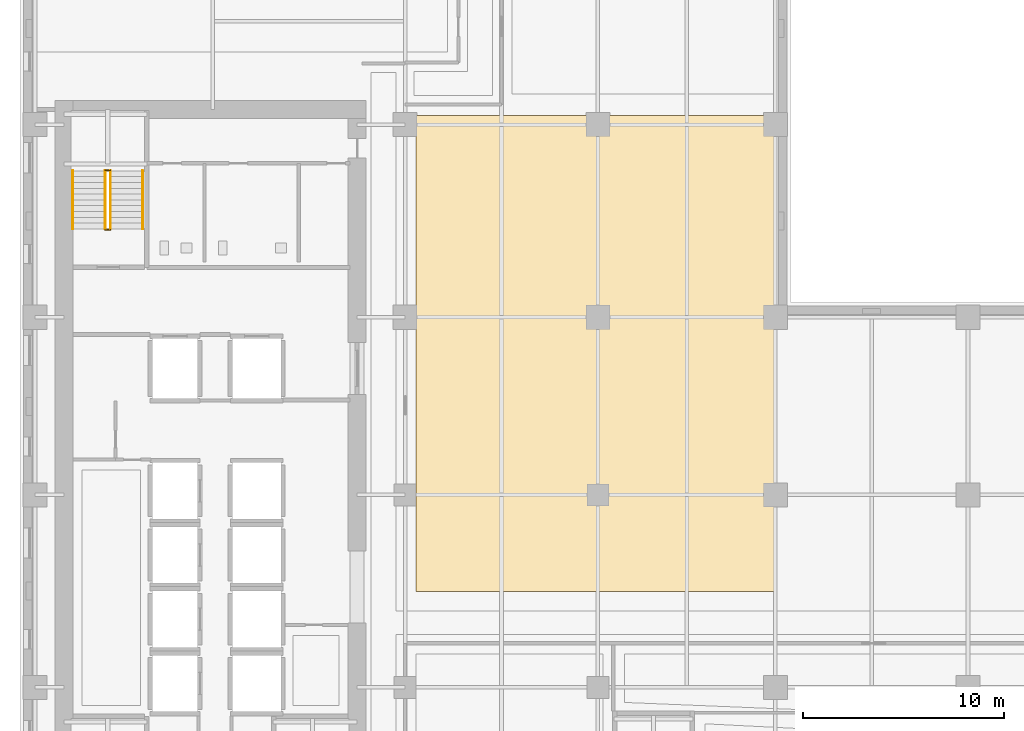
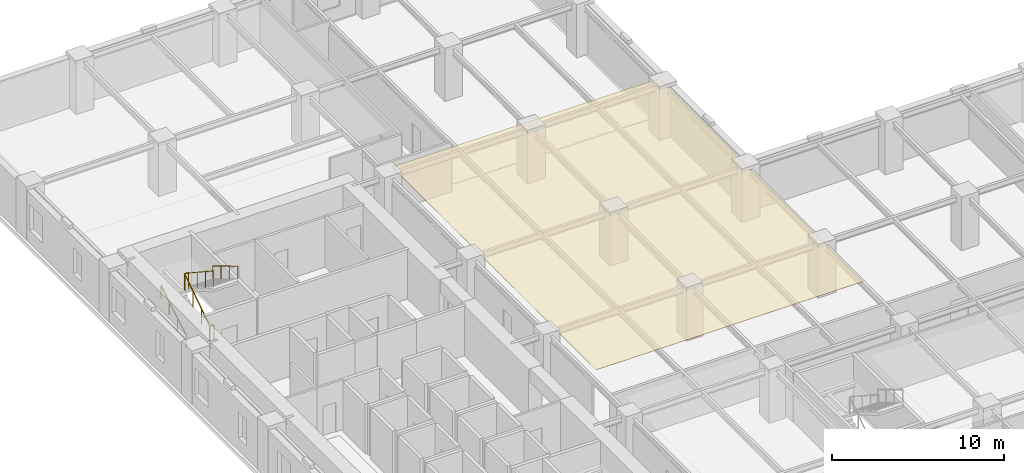
# One storey, part 11 of 13: 6 railings, 1 covering.
"""IFC4 building model written with IfcOpenShell, lengths in metres."""

from ifc_helpers import new_model, si_unit, direction, frame, origin, origin_2d, place, context, subcontext, project, spatial, polyline, circle, outline, extrude, material, layer, layer_set, type_object, element, save


model = new_model("IFC4")

# Units and contexts
model_context = context("Model", 3, precision=1e-05, world=origin(), true_north=direction((0.0, 1.0)))
body_context = subcontext(model_context, "Body", "Model", "MODEL_VIEW")
ifc_project = project(units=[si_unit("LENGTHUNIT", "METRE"), si_unit("AREAUNIT", "SQUARE_METRE"), si_unit("VOLUMEUNIT", "CUBIC_METRE"), si_unit("PLANEANGLEUNIT", "RADIAN"), si_unit("MASSUNIT", "GRAM", prefix="KILO")], contexts=[model_context])

# Site, building, storey
site_placement = place(None, origin())
site = spatial("IfcSite", under=ifc_project, at=site_placement, CompositionType="ELEMENT")
building_placement = place(site_placement, origin())
building = spatial("IfcBuilding", under=site, at=building_placement, Name="Norrvale University Quadrangle", CompositionType="ELEMENT")
storey_placement = place(building_placement, frame((0.0, 0.0, 39.39990234375)))
storey = spatial("IfcBuildingStorey", under=building, at=storey_placement, Name="L09", CompositionType="ELEMENT", Elevation=39.39990234375)

# Covering
ifc_material_1 = material(Name="Perforated Acoustic Mineral Ceiling")
ifc_layer = layer(ifc_material_1, 0.02490234375, Name="Perforated Acoustic Mineral Ceiling")
ifc_layer_set = layer_set([ifc_layer], Name="Perforated Acoustic Mineral Ceiling")
covering_type = type_object("IfcCoveringType", Name="Covering Acoustic Ceiling 25", PredefinedType="CEILING", material=ifc_layer_set)
covering_placement = place(storey_placement, frame((0.0, 0.0, 3.51513671875)))
element("IfcCovering", 1, at=covering_placement, inside=storey, type_object=covering_type, Name="Acoustic Ceiling RM-L09-MNE01", PredefinedType="CEILING", context=body_context, shape_type="SweptSolid", body=[
    extrude(outline(polyline([(19.72998046875, 47.719970703125), (37.64990234375, 47.719970703125), (37.64990234375, 23.97998046875), (19.72998046875, 23.97998046875), (19.72998046875, 47.719970703125)])), origin(), (0.0, 0.0, 1.0), 0.02490234375),
])

# Railings
ifc_material_2 = material(Name="Steel 350W Painted Balustrade", Category="steel")
railing_type_1 = type_object("IfcRailingType", Name="Railing Stair Guard 1100", PredefinedType="GUARDRAIL", material=ifc_material_2)
for number, where, name in (
    (2, (4.239990234375, 42.02001953125, 0.0), "Stair Floor Well Guard ST-02 L09"),
    (3, (4.239990234375, 44.97998046875, 1.900146484375), "Stair Mid-Landing Slot Guard ST-02 L09"),
):
    element("IfcRailing", number, at=place(storey_placement, frame(where)), inside=storey, type_object=railing_type_1, Name=name, PredefinedType="GUARDRAIL", context=body_context, shape_type="SweptSolid", body=[
        extrude(circle(Radius=0.02392578125, at=origin_2d()), frame((0.0, 0.0, 1.1259765625), z_axis=(1.0, 0.0, 0.0), x_axis=(0.0, 1.0, 0.0)), (0.0, 0.0, 1.0), 0.27001953125),
        extrude(circle(Radius=0.02099609375, at=origin_2d()), origin(), (0.0, 0.0, 1.0), 1.101806640625),
        extrude(circle(Radius=0.02099609375, at=origin_2d()), frame((0.27001953125, 0.0, 0.0)), (0.0, 0.0, 1.0), 1.101806640625),
    ])
railing_1_placement = place(storey_placement, frame((4.239990234375, 42.050048828125, 0.0)))
element("IfcRailing", 4, at=railing_1_placement, inside=storey, type_object=railing_type_1, Name="Stair Lower Flight Inner Guard ST-02 L09", PredefinedType="GUARDRAIL", context=body_context, shape_type="SweptSolid", body=[
    extrude(circle(Radius=0.02392578125, at=origin_2d()), frame((0.0, 0.0, 1.1259765625), z_axis=(0.0, 0.836433300813, 0.548068730445), x_axis=(-1.0, 0.0, 0.0)), (0.0, 0.0, 1.0), 3.467041015625),
    extrude(circle(Radius=0.02099609375, at=origin_2d()), origin(), (0.0, 0.0, 1.0), 1.101806640625),
    extrude(circle(Radius=0.02099609375, at=origin_2d()), frame((0.0, 0.966552734375, 0.63330078125)), (0.0, 0.0, 1.0), 1.101806640625),
    extrude(circle(Radius=0.02099609375, at=origin_2d()), frame((0.0, 1.933349609375, 1.266845703125)), (0.0, 0.0, 1.0), 1.101806640625),
    extrude(circle(Radius=0.02099609375, at=origin_2d()), frame((0.0, 2.89990234375, 1.900146484375)), (0.0, 0.0, 1.0), 1.101806640625),
])
railing_2_placement = place(storey_placement, frame((4.510009765625, 44.949951171875, 1.900146484375)))
element("IfcRailing", 5, at=railing_2_placement, inside=storey, type_object=railing_type_1, Name="Stair Upper Flight Inner Guard ST-02 L09", PredefinedType="GUARDRAIL", context=body_context, shape_type="SweptSolid", body=[
    extrude(circle(Radius=0.02392578125, at=origin_2d()), frame((0.0, 0.0, 1.1259765625), z_axis=(0.0, -0.836465582154, 0.548019461216), x_axis=(1.0, 0.0, 0.0)), (0.0, 0.0, 1.0), 3.466796875),
    extrude(circle(Radius=0.02099609375, at=origin_2d()), origin(), (0.0, 0.0, 1.0), 1.101806640625),
    extrude(circle(Radius=0.02099609375, at=origin_2d()), frame((0.0, -0.966552734375, 0.63330078125)), (0.0, 0.0, 1.0), 1.101806640625),
    extrude(circle(Radius=0.02099609375, at=origin_2d()), frame((0.0, -1.933349609375, 1.2666015625)), (0.0, 0.0, 1.0), 1.101806640625),
    extrude(circle(Radius=0.02099609375, at=origin_2d()), frame((0.0, -2.89990234375, 1.89990234375)), (0.0, 0.0, 1.0), 1.101806640625),
])
ifc_material_3 = material(Name="Stainless Steel 316L Handrail", Category="steel")
railing_type_2 = type_object("IfcRailingType", Name="Railing Stair Handrail 920", PredefinedType="HANDRAIL", material=ifc_material_3)
railing_3_placement = place(storey_placement, frame((2.639892578125, 42.050048828125, 0.1728515625)))
element("IfcRailing", 6, at=railing_3_placement, inside=storey, type_object=railing_type_2, Name="Stair Lower Flight Handrail ST-02 L09", PredefinedType="HANDRAIL", context=body_context, shape_type="SweptSolid", body=[
    extrude(circle(Radius=0.02392578125, at=origin_2d()), frame((0.0, 0.0, 0.89599609375), z_axis=(0.0, 0.859141464434, 0.511738159696), x_axis=(-1.0, 0.0, 0.0)), (0.0, 0.0, 1.0), 3.375244140625),
    extrude(circle(Radius=0.02099609375, at=origin_2d()), origin(), (0.0, 0.0, 1.0), 0.871826171875),
    extrude(circle(Radius=0.02099609375, at=origin_2d()), frame((0.0, 0.966552734375, 0.57568359375)), (0.0, 0.0, 1.0), 0.871826171875),
    extrude(circle(Radius=0.02099609375, at=origin_2d()), frame((0.0, 1.933349609375, 1.151611328125)), (0.0, 0.0, 1.0), 0.871826171875),
    extrude(circle(Radius=0.02099609375, at=origin_2d()), frame((0.0, 2.89990234375, 1.727294921875)), (0.0, 0.0, 1.0), 0.871826171875),
])
railing_4_placement = place(storey_placement, frame((6.110107421875, 44.949951171875, 2.07275390625)))
element("IfcRailing", 7, at=railing_4_placement, inside=storey, type_object=railing_type_2, Name="Stair Upper Flight Handrail ST-02 L09", PredefinedType="HANDRAIL", context=body_context, shape_type="SweptSolid", body=[
    extrude(circle(Radius=0.02392578125, at=origin_2d()), frame((0.0, 0.0, 0.89599609375), z_axis=(0.0, -0.859141464434, 0.511738159696), x_axis=(1.0, 0.0, 0.0)), (0.0, 0.0, 1.0), 3.375244140625),
    extrude(circle(Radius=0.02099609375, at=origin_2d()), origin(), (0.0, 0.0, 1.0), 0.871826171875),
    extrude(circle(Radius=0.02099609375, at=origin_2d()), frame((0.0, -0.966552734375, 0.57568359375)), (0.0, 0.0, 1.0), 0.871826171875),
    extrude(circle(Radius=0.02099609375, at=origin_2d()), frame((0.0, -1.933349609375, 1.151611328125)), (0.0, 0.0, 1.0), 0.871826171875),
    extrude(circle(Radius=0.02099609375, at=origin_2d()), frame((0.0, -2.89990234375, 1.727294921875)), (0.0, 0.0, 1.0), 0.871826171875),
])

save(model, "model.ifc")
